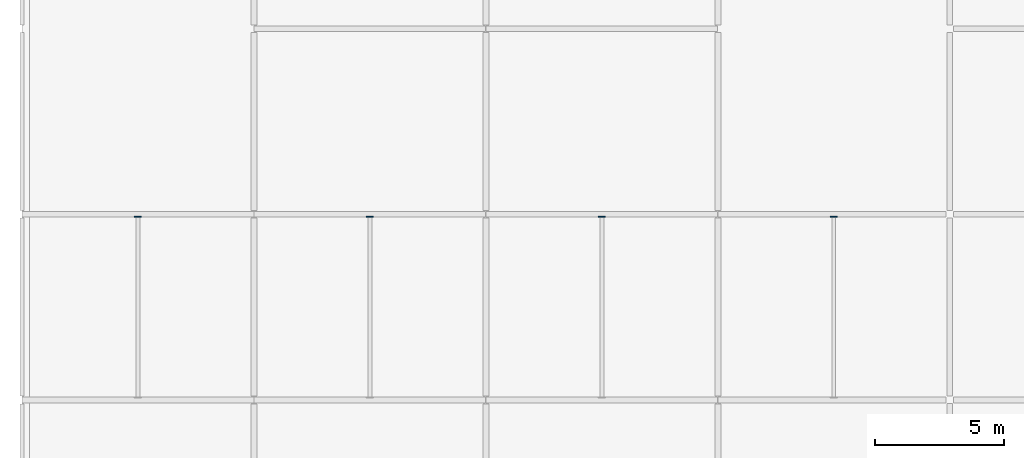
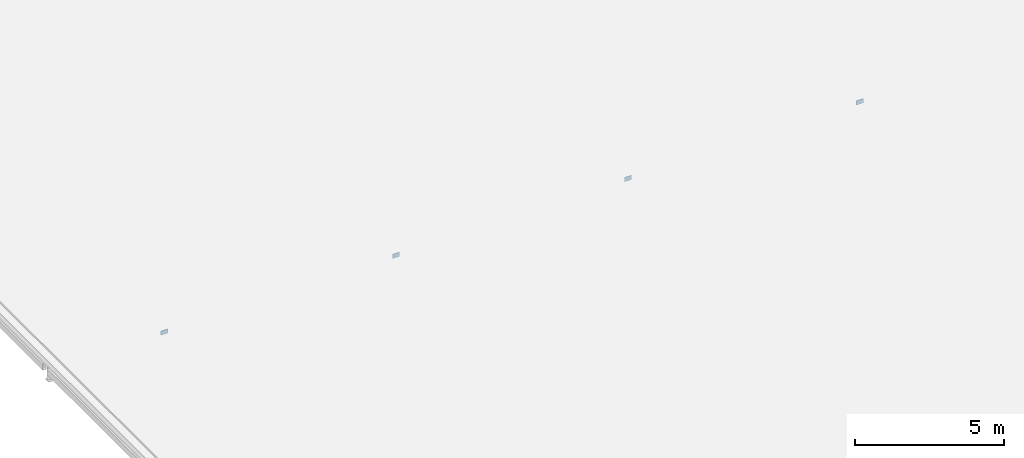
# One storey, part 5 of 7: 4 plates.
"""IFC4 building model written with IfcOpenShell, lengths in metres."""

from ifc_helpers import new_model, si_unit, direction, frame, origin, origin_2d, place, context, subcontext, project, spatial, rectangle, extrude, material, layer, layer_set, type_object, element, save


model = new_model("IFC4")

# Units and contexts
model_context = context("Model", 3, precision=1e-05, world=origin(), true_north=direction((0.0, 1.0)))
body_context = subcontext(model_context, "Body", "Model", "MODEL_VIEW")
ifc_project = project(units=[si_unit("LENGTHUNIT", "METRE"), si_unit("AREAUNIT", "SQUARE_METRE"), si_unit("VOLUMEUNIT", "CUBIC_METRE"), si_unit("PLANEANGLEUNIT", "RADIAN"), si_unit("MASSUNIT", "GRAM", prefix="KILO")], contexts=[model_context])

# Site, building, storey
site_placement = place(None, origin())
site = spatial("IfcSite", under=ifc_project, at=site_placement, CompositionType="ELEMENT")
building_placement = place(site_placement, origin())
building = spatial("IfcBuilding", under=site, at=building_placement, Name="Celestram Park Convention Centre", CompositionType="ELEMENT")
storey_placement = place(building_placement, frame((0.0, 0.0, 28.800048828125)))
storey = spatial("IfcBuildingStorey", under=building, at=storey_placement, Name="RF", CompositionType="ELEMENT", Elevation=28.800048828125)

# Plates
ifc_material = material(Name="Steel ASTM A572 Grade 50", Category="steel")
ifc_layer = layer(ifc_material, 0.02490234375)
ifc_layer_set = layer_set([ifc_layer], Name="Steel ASTM A572 Grade 50")
plate_type = type_object("IfcPlateType", Name="STR-PLT-EC250", PredefinedType="USERDEFINED", material=ifc_layer_set)
for number, where, z_axis, x_axis, name in (
    (1, (40.5, 143.902099609375, -0.449951171875), (0.0, 0.0, 1.0), (1.0, 0.0, 0.0), "HSS purlin end closure cap plate EC-RF-188"),
    (2, (49.5, 143.902099609375, -0.449951171875), (0.0, 0.0, 1.0), (1.0, 0.0, 0.0), "HSS purlin end closure cap plate EC-RF-190"),
    (3, (58.5, 143.902099609375, -0.449951171875), (0.0, 0.0, 1.0), (1.0, 0.0, 0.0), "HSS purlin end closure cap plate EC-RF-192"),
    (4, (67.5, 143.902099609375, -0.449951171875), (0.0, 0.0, 1.0), (1.0, 0.0, 0.0), "HSS purlin end closure cap plate EC-RF-194"),
):
    element("IfcPlate", number, at=place(storey_placement, frame(where, z_axis=z_axis, x_axis=x_axis)), inside=storey, type_object=plate_type, Name=name, ObjectType="GUSSET_PLATE", PredefinedType="USERDEFINED", context=body_context, shape_type="SweptSolid", body=[
        extrude(rectangle(XDim=0.27001953125, YDim=0.02490234375, at=origin_2d()), origin(), (0.0, 0.0, 1.0), 0.169921875),
    ])

save(model, "model.ifc")
